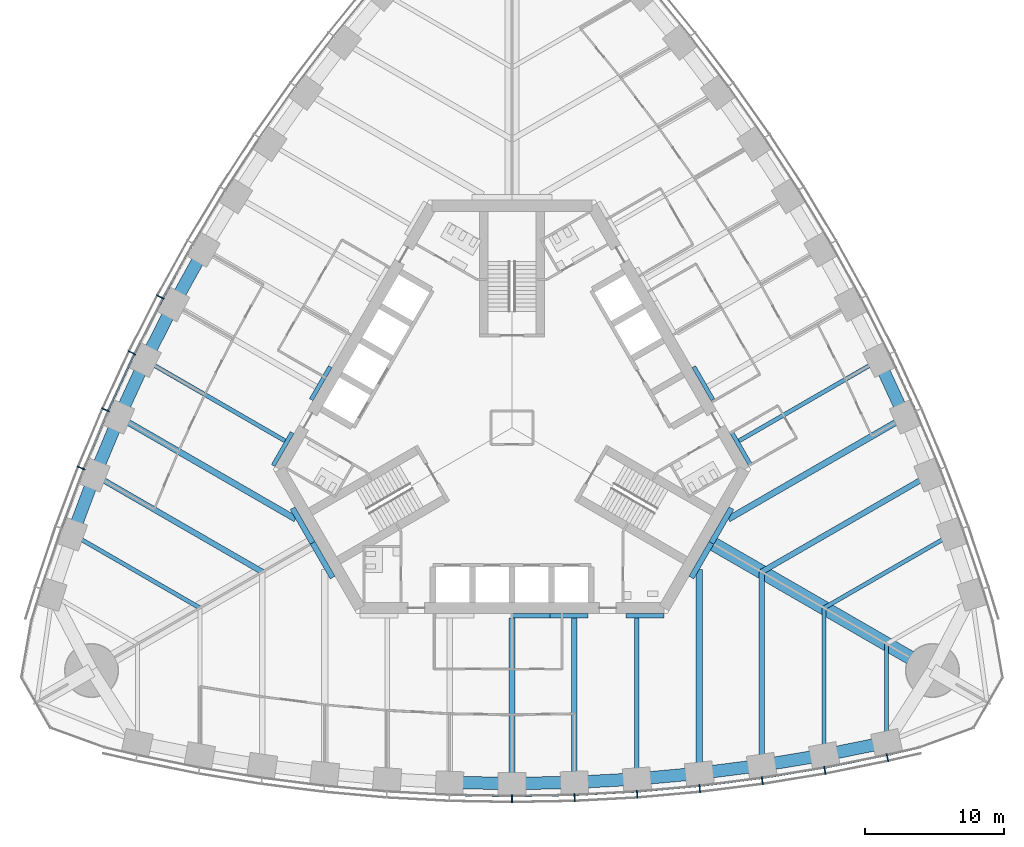
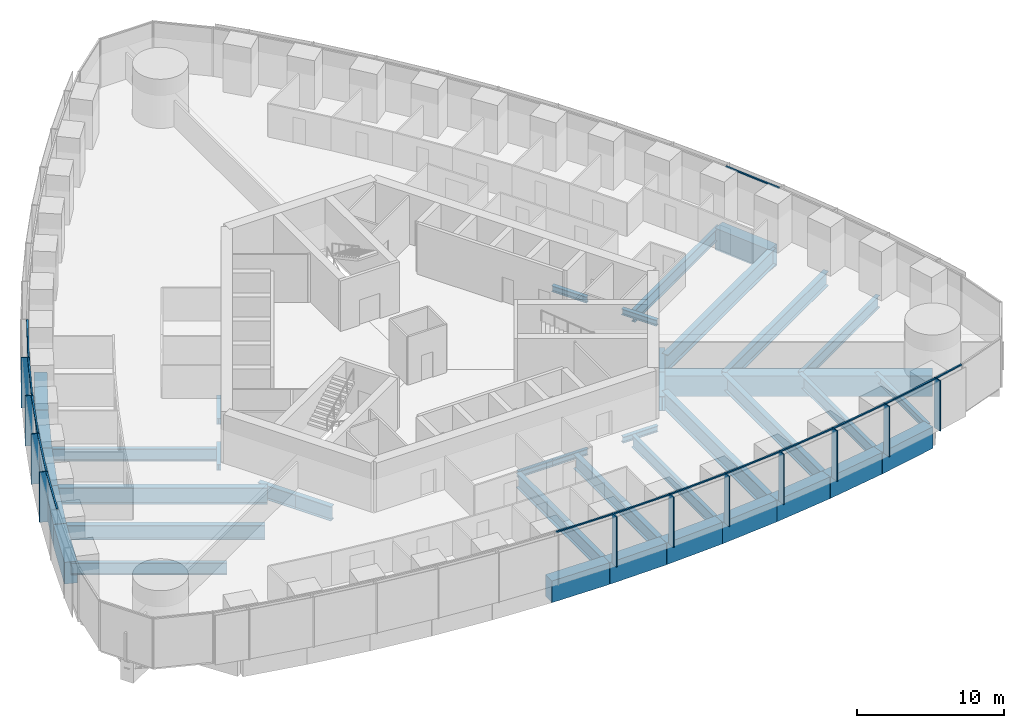
# One storey, part 3 of 18: 40 beams, 25 members, 3 elements without a shape of their own.
"""IFC4 building model written with IfcOpenShell, lengths in metres."""

import ifcopenshell
import ifcopenshell.guid

model = None  # the IFC model being written
_history = None  # IfcOwnerHistory: only IFC2X3 demands one
_inside = {}  # id of a spatial element -> (the spatial element, [elements in it])
_under = {}  # id of a project, library or spatial element -> (it, [spatial elements below it])
_declared = {}  # id of a project -> (the project, [libraries it declares])
_typed = {}  # id of a type object -> (the type object, [elements of that type])
_made_of = {}  # id of a material, layer set ... -> (it, [elements and type objects made of it])


def new_model(schema):
    """Start an empty IFC model of exactly this schema.

    Asked for "IFC4X3", IfcOpenShell would pick the latest addendum, in which some entities
    have other attributes; the version numbers below select the first issue.
    IFC2X3 requires an IfcOwnerHistory on every rooted entity: one is made here for all.
    """
    global model, _history
    if schema == "IFC4X3":
        model = ifcopenshell.file(schema_version=(4, 3, 0, 0))
    else:
        model = ifcopenshell.file(schema=schema)
    _inside.clear()
    _under.clear()
    _declared.clear()
    _typed.clear()
    _made_of.clear()
    _history = None
    if model.schema == "IFC2X3":
        org = make("IfcOrganization", Name="unknown")
        user = make(
            "IfcPersonAndOrganization",
            ThePerson=make("IfcPerson", FamilyName="unknown"),
            TheOrganization=org,
        )
        app = make(
            "IfcApplication",
            ApplicationDeveloper=org,
            Version="unknown",
            ApplicationFullName="unknown",
            ApplicationIdentifier="unknown",
        )
        _history = make(
            "IfcOwnerHistory",
            OwningUser=user,
            OwningApplication=app,
            ChangeAction="ADDED",
            CreationDate=0,
        )
    return model


def make(cls, **values):
    """One entity of the class cls with the attributes given. An attribute that is None is left unset."""
    return model.create_entity(
        cls, **{name: value for name, value in values.items() if value is not None}
    )


def rooted(cls, **values):
    """An entity with a GlobalId (a new one), such as an element, a storey or a relation."""
    return make(cls, GlobalId=ifcopenshell.guid.new(), OwnerHistory=_history, **values)


def si_unit(unit_type, name, prefix=None):
    """IfcSIUnit, for example si_unit("LENGTHUNIT", "METRE", prefix="MILLI")."""
    return make("IfcSIUnit", UnitType=unit_type, Prefix=prefix, Name=name)


def assignment(units):
    """IfcUnitAssignment: the units of a project."""
    return None if units is None else make("IfcUnitAssignment", Units=units)


def point(xyz):
    """IfcCartesianPoint."""
    return None if xyz is None else make("IfcCartesianPoint", Coordinates=xyz)


def direction(xyz):
    """IfcDirection."""
    return None if xyz is None else make("IfcDirection", DirectionRatios=xyz)


def frame(location, z_axis=None, x_axis=None):
    """IfcAxis2Placement3D, a coordinate frame: its origin and axes. An axis left out is left unset."""
    return make(
        "IfcAxis2Placement3D",
        Location=point(location),
        Axis=direction(z_axis),
        RefDirection=direction(x_axis),
    )


def frame_2d(location, x_axis=None):
    """IfcAxis2Placement2D, a coordinate frame in the plane: its origin and x axis."""
    return make(
        "IfcAxis2Placement2D", Location=point(location), RefDirection=direction(x_axis)
    )


def origin():
    """The frame at (0, 0, 0) with its axes left unset."""
    return frame((0.0, 0.0, 0.0))


def origin_2d():
    """The frame at (0, 0) in the plane with its x axis left unset."""
    return frame_2d((0.0, 0.0))


def place(relative_to, where):
    """IfcLocalPlacement: puts the frame where relative to a parent placement (None: the world)."""
    return make(
        "IfcLocalPlacement", PlacementRelTo=relative_to, RelativePlacement=where
    )


def context(
    kind, dimensions, precision=None, world=None, true_north=None, identifier=None
):
    """IfcGeometricRepresentationContext, for example the 3D "Model" context."""
    return make(
        "IfcGeometricRepresentationContext",
        ContextIdentifier=identifier,
        ContextType=kind,
        CoordinateSpaceDimension=dimensions,
        Precision=precision,
        WorldCoordinateSystem=world,
        TrueNorth=true_north,
    )


def subcontext(parent, identifier, kind, view, scale=None):
    """IfcGeometricRepresentationSubContext, for example "Body" below "Model"."""
    return make(
        "IfcGeometricRepresentationSubContext",
        ContextIdentifier=identifier,
        ContextType=kind,
        ParentContext=parent,
        TargetScale=scale,
        TargetView=view,
    )


def project(units=None, contexts=None):
    """IfcProject with its units and contexts."""
    return rooted(
        "IfcProject",
        Name="project",
        RepresentationContexts=contexts,
        UnitsInContext=assignment(units),
    )


def spatial(cls, under=None, at=None, **own):
    """A site, building, storey or space (cls), placed at a placement, below another one or the project."""
    s = rooted(cls, ObjectPlacement=at, **own)
    if under is not None:
        _under.setdefault(under.id(), (under, []))[1].append(s)
    return s


def profile(cls, at=None, kind="AREA", **sizes):
    """A parametric profile (cls). Its sizes go by their IFC names, for example OverallWidth=200.0."""
    return make(cls, ProfileType=kind, Position=at, **sizes)


def rectangle(**sizes):
    """IfcRectangleProfileDef."""
    return profile("IfcRectangleProfileDef", **sizes)


def i_section(**sizes):
    """IfcIShapeProfileDef."""
    return profile("IfcIShapeProfileDef", **sizes)


def extrude(swept, where, along, depth):
    """IfcExtrudedAreaSolid: the profile swept, set in the frame where, extruded along a direction by depth."""
    return make(
        "IfcExtrudedAreaSolid",
        SweptArea=swept,
        Position=where,
        ExtrudedDirection=direction(along),
        Depth=depth,
    )


def shape(context_of_items, identifier, shape_type, items):
    """IfcShapeRepresentation: the items that make up one representation, for example the "Body"."""
    return make(
        "IfcShapeRepresentation",
        ContextOfItems=context_of_items,
        RepresentationIdentifier=identifier,
        RepresentationType=shape_type,
        Items=items,
    )


def material(Name=None, Category=None):
    """IfcMaterial."""
    return make("IfcMaterial", Name=Name, Category=Category)


def material_profile(
    of_material, cross_section, Name=None, Category=None, Priority=None
):
    """IfcMaterialProfile: a cross section and its material."""
    return make(
        "IfcMaterialProfile",
        Name=Name,
        Material=of_material,
        Profile=cross_section,
        Priority=Priority,
        Category=Category,
    )


def profile_set(profiles, Name=None, composite=None):
    """IfcMaterialProfileSet."""
    return make(
        "IfcMaterialProfileSet",
        Name=Name,
        MaterialProfiles=profiles,
        CompositeProfile=composite,
    )


def made_of(thing, what):
    """Note that an element or type object is made of a material, layer set ...; save() writes the relation."""
    if what is not None:
        _made_of.setdefault(what.id(), (what, []))[1].append(thing)
    return thing


def type_object(cls, material=None, **own):
    """A type object (cls), such as IfcWallType, which elements share."""
    return made_of(rooted(cls, **own), material)


def element(
    cls,
    number,
    at=None,
    inside=None,
    cuts=None,
    type_object=None,
    material=None,
    context=None,
    identifier="Body",
    shape_type=None,
    held_by="IfcProductDefinitionShape",
    body=None,
    shapes=None,
    **own,
):
    """One element of the class cls, such as IfcWall. Its Tag is "e" and its number.

    at: its placement. inside: the storey or other place that contains it. cuts: it is an
    opening in that element (IfcRelVoidsElement). A single representation is given by context,
    identifier, shape_type and body (its items); several are given by shapes. held_by: the class
    of the entity that holds the representations. save() writes the other relations.
    """
    e = rooted(cls, Tag="e%d" % number, ObjectPlacement=at, **own)
    if body is not None:
        shapes = [shape(context, identifier, shape_type, body)]
    if shapes is not None:
        e.Representation = make(held_by, Representations=shapes)
    if inside is not None:
        _inside.setdefault(inside.id(), (inside, []))[1].append(e)
    if cuts is not None:
        rooted(
            "IfcRelVoidsElement", RelatingBuildingElement=cuts, RelatedOpeningElement=e
        )
    if type_object is not None:
        _typed.setdefault(type_object.id(), (type_object, []))[1].append(e)
    return made_of(e, material)


def aggregate(whole, parts):
    """IfcRelAggregates: a whole, such as a stair, and the parts it consists of."""
    return rooted("IfcRelAggregates", RelatingObject=whole, RelatedObjects=parts)


def save(model, path):
    """Write the relations noted so far, then the file.

    IfcRelAggregates (storeys below a building ...), IfcRelContainedInSpatialStructure (elements
    in a storey), IfcRelDefinesByType, IfcRelAssociatesMaterial and IfcRelDeclares: one each for
    every whole, place, type object, material and project.
    """
    for whole, parts in _under.values():
        aggregate(whole, parts)
    for where, things in _inside.values():
        rooted(
            "IfcRelContainedInSpatialStructure",
            RelatedElements=things,
            RelatingStructure=where,
        )
    for kind, things in _typed.values():
        rooted("IfcRelDefinesByType", RelatedObjects=things, RelatingType=kind)
    for what, things in _made_of.values():
        rooted("IfcRelAssociatesMaterial", RelatedObjects=things, RelatingMaterial=what)
    for by, libraries in _declared.values():
        rooted("IfcRelDeclares", RelatingContext=by, RelatedDefinitions=libraries)
    model.write(path)


model = new_model("IFC4")

# Units and contexts
model_context = context("Model", 3, precision=1e-05, world=origin(), true_north=direction((0.0, 1.0)))
body_context = subcontext(model_context, "Body", "Model", "MODEL_VIEW")
ifc_project = project(units=[si_unit("LENGTHUNIT", "METRE"), si_unit("AREAUNIT", "SQUARE_METRE"), si_unit("VOLUMEUNIT", "CUBIC_METRE"), si_unit("PLANEANGLEUNIT", "RADIAN"), si_unit("MASSUNIT", "GRAM", prefix="KILO")], contexts=[model_context])

# Site, building, storey
site_placement = place(None, origin())
site = spatial("IfcSite", under=ifc_project, at=site_placement, CompositionType="ELEMENT")
building_placement = place(site_placement, origin())
building = spatial("IfcBuilding", under=site, at=building_placement, Name="Trefoil Bronze Tower", CompositionType="ELEMENT")
storey_placement = place(building_placement, frame((0.0, 0.0, 157.699951171875)))
storey = spatial("IfcBuildingStorey", under=building, at=storey_placement, Name="L36", CompositionType="ELEMENT", Elevation=157.699951171875)

# Curtain wall, members
ifc_material_1 = material(Name="Tinted solar-control glass", Category="glass")
curtain_wall_type = type_object("IfcCurtainWallType", Name="Bronze office curtain wall", PredefinedType="USERDEFINED", material=ifc_material_1)
curtain_wall_1_placement = place(storey_placement, origin())
curtain_wall_1 = element("IfcCurtainWall", 1, at=curtain_wall_1_placement, inside=storey, type_object=curtain_wall_type, Name="CW-A L36 F1", ObjectType="CURTAIN WALL", PredefinedType="USERDEFINED")
ifc_material_2 = material(Name="Bronze-finish aluminium", Category="aluminium")
ifc_material_profile_1 = material_profile(ifc_material_2, rectangle(XDim=0.60009765625, YDim=0.080078125, at=origin_2d()), Name="CW-A mullion")
ifc_profile_set_1 = profile_set([ifc_material_profile_1], Name="Bronze-finish aluminium")
member_type_1 = type_object("IfcMemberType", Name="Bronze office curtain wall mullion", PredefinedType="MULLION", material=ifc_profile_set_1)
member_1_placement = place(storey_placement, frame((0.0, -26.749755859375, 0.0), z_axis=(0.0, 0.0, 1.0), x_axis=(0.0, 1.0, 0.0)))
member_1 = element("IfcMember", 2, at=member_1_placement, type_object=member_type_1, Name="CW-A L36 F1 mullion 8", PredefinedType="MULLION", context=body_context, shape_type="SweptSolid", body=[
    extrude(rectangle(XDim=0.60009765625, YDim=0.080078125, at=origin_2d()), origin(), (0.0, 0.0, 1.0), 4.179931640625),
])
member_2_placement = place(storey_placement, frame((4.5107421875, -26.66845703125, 0.0), z_axis=(0.0, 0.0, 1.0), x_axis=(-0.036047792107, 0.999350067136, 0.0)))
member_2 = element("IfcMember", 3, at=member_2_placement, type_object=member_type_1, Name="CW-A L36 F1 mullion 9", PredefinedType="MULLION", context=body_context, shape_type="SweptSolid", body=[
    extrude(rectangle(XDim=0.60009765625, YDim=0.080078125, at=origin_2d()), origin(), (0.0, 0.0, 1.0), 4.179931640625),
])
member_3_placement = place(storey_placement, frame((9.021728515625, -26.424072265625, 0.0), z_axis=(0.0, 0.0, 1.0), x_axis=(-0.072095676284, 0.997397720802, 0.0)))
member_3 = element("IfcMember", 4, at=member_3_placement, type_object=member_type_1, Name="CW-A L36 F1 mullion 10", PredefinedType="MULLION", context=body_context, shape_type="SweptSolid", body=[
    extrude(rectangle(XDim=0.60009765625, YDim=0.080078125, at=origin_2d()), origin(), (0.0, 0.0, 1.0), 4.179931640625),
])
member_4_placement = place(storey_placement, frame((13.532470703125, -26.01611328125, 0.0), z_axis=(0.0, 0.0, 1.0), x_axis=(-0.108143747013, 0.994135267447, 0.0)))
member_4 = element("IfcMember", 5, at=member_4_placement, type_object=member_type_1, Name="CW-A L36 F1 mullion 11", PredefinedType="MULLION", context=body_context, shape_type="SweptSolid", body=[
    extrude(rectangle(XDim=0.60009765625, YDim=0.080078125, at=origin_2d()), origin(), (0.0, 0.0, 1.0), 4.179931640625),
])
member_5_placement = place(storey_placement, frame((18.043212890625, -25.4423828125, 0.0), z_axis=(0.0, 0.0, 1.0), x_axis=(-0.144192103798, 0.989549714366, 0.0)))
member_5 = element("IfcMember", 6, at=member_5_placement, type_object=member_type_1, Name="CW-A L36 F1 mullion 12", PredefinedType="MULLION", context=body_context, shape_type="SweptSolid", body=[
    extrude(rectangle(XDim=0.60009765625, YDim=0.080078125, at=origin_2d()), origin(), (0.0, 0.0, 1.0), 4.179931640625),
])
member_6_placement = place(storey_placement, frame((22.553955078125, -24.700927734375, 0.0), z_axis=(0.0, 0.0, 1.0), x_axis=(-0.180240853954, 0.98362250613, 0.0)))
member_6 = element("IfcMember", 7, at=member_6_placement, type_object=member_type_1, Name="CW-A L36 F1 mullion 13", PredefinedType="MULLION", context=body_context, shape_type="SweptSolid", body=[
    extrude(rectangle(XDim=0.60009765625, YDim=0.080078125, at=origin_2d()), origin(), (0.0, 0.0, 1.0), 4.179931640625),
])
member_7_placement = place(storey_placement, frame((27.0634765625, -23.7890625, 0.0), z_axis=(0.0, 0.0, 1.0), x_axis=(-0.21197042503, 0.977276081214, 0.0)))
member_7 = element("IfcMember", 8, at=member_7_placement, type_object=member_type_1, Name="CW-A L36 F1 mullion 14", PredefinedType="MULLION", context=body_context, shape_type="SweptSolid", body=[
    extrude(rectangle(XDim=0.60009765625, YDim=0.080078125, at=origin_2d()), origin(), (0.0, 0.0, 1.0), 4.179931640625),
])

curtain_wall_2_placement = place(storey_placement, origin())
curtain_wall_2 = element("IfcCurtainWall", 9, at=curtain_wall_2_placement, inside=storey, type_object=curtain_wall_type, Name="CW-A L36 F3", ObjectType="CURTAIN WALL", PredefinedType="USERDEFINED")
member_8_placement = place(storey_placement, frame((-25.350830078125, 9.427734375, 0.0), z_axis=(0.0, 0.0, 1.0), x_axis=(0.883486441467, -0.468456729853, 0.0)))
member_8 = element("IfcMember", 10, at=member_8_placement, type_object=member_type_1, Name="CW-A L36 F3 mullion 9", PredefinedType="MULLION", context=body_context, shape_type="SweptSolid", body=[
    extrude(rectangle(XDim=0.60009765625, YDim=0.080078125, at=origin_2d()), origin(), (0.0, 0.0, 1.0), 4.179931640625),
])
member_9_placement = place(storey_placement, frame((-27.394775390625, 5.399169921875, 0.0), z_axis=(0.0, 0.0, 1.0), x_axis=(0.899819602033, -0.436262173236, 0.0)))
member_9 = element("IfcMember", 11, at=member_9_placement, type_object=member_type_1, Name="CW-A L36 F3 mullion 10", PredefinedType="MULLION", context=body_context, shape_type="SweptSolid", body=[
    extrude(rectangle(XDim=0.60009765625, YDim=0.080078125, at=origin_2d()), origin(), (0.0, 0.0, 1.0), 4.179931640625),
])
member_10_placement = place(storey_placement, frame((-29.296875, 1.28857421875, 0.0), z_axis=(0.0, 0.0, 1.0), x_axis=(0.915018269914, -0.40341240155, 0.0)))
member_10 = element("IfcMember", 12, at=member_10_placement, type_object=member_type_1, Name="CW-A L36 F3 mullion 11", PredefinedType="MULLION", context=body_context, shape_type="SweptSolid", body=[
    extrude(rectangle(XDim=0.60009765625, YDim=0.080078125, at=origin_2d()), origin(), (0.0, 0.0, 1.0), 4.179931640625),
])
member_11_placement = place(storey_placement, frame((-31.055419921875, -2.90478515625, 0.0), z_axis=(0.0, 0.0, 1.0), x_axis=(0.929071242848, -0.369900832269, 0.0)))
member_11 = element("IfcMember", 13, at=member_11_placement, type_object=member_type_1, Name="CW-A L36 F3 mullion 12", PredefinedType="MULLION", context=body_context, shape_type="SweptSolid", body=[
    extrude(rectangle(XDim=0.60009765625, YDim=0.080078125, at=origin_2d()), origin(), (0.0, 0.0, 1.0), 4.179931640625),
])

# Member
ifc_material_3 = material(Name="Bronze-finish aluminium", Category="aluminium")
ifc_material_profile_2 = material_profile(ifc_material_3, rectangle(XDim=0.1201171875, YDim=0.10009765625, at=origin_2d()), Name="CW-A transom")
ifc_profile_set_2 = profile_set([ifc_material_profile_2], Name="Bronze-finish aluminium")
member_type_2 = type_object("IfcMemberType", Name="Bronze office curtain wall transom", PredefinedType="USERDEFINED", material=ifc_profile_set_2)
member_12_placement = place(storey_placement, frame((-4.4619140625, -26.46923828125, 4.130126953125), z_axis=(0.999837930028, -0.018003157426, 0.0), x_axis=(0.018003157426, 0.999837930028, 0.0)))
member_12 = element("IfcMember", 14, at=member_12_placement, type_object=member_type_2, Name="CW-A L36 F1 transom 7", ObjectType="TRANSOM", PredefinedType="USERDEFINED", context=body_context, shape_type="SweptSolid", body=[
    extrude(rectangle(XDim=0.1201171875, YDim=0.10009765625, at=origin_2d()), origin(), (0.0, 0.0, 1.0), 4.4208984375),
])

member_13_placement = place(storey_placement, frame((0.041748046875, -26.548828125, 4.130126953125), z_axis=(0.999837930028, 0.018003157426, 0.0), x_axis=(-0.018003157426, 0.999837930028, 0.0)))
member_13 = element("IfcMember", 15, at=member_13_placement, type_object=member_type_2, Name="CW-A L36 F1 transom 8", ObjectType="TRANSOM", PredefinedType="USERDEFINED", context=body_context, shape_type="SweptSolid", body=[
    extrude(rectangle(XDim=0.1201171875, YDim=0.10009765625, at=origin_2d()), origin(), (0.0, 0.0, 1.0), 4.4208984375),
])

member_14_placement = place(storey_placement, frame((4.54541015625, -26.46630859375, 4.130126953125), z_axis=(0.998538253569, 0.054049571306, 0.0), x_axis=(-0.054049571306, 0.998538253569, 0.0)))
member_14 = element("IfcMember", 16, at=member_14_placement, type_object=member_type_2, Name="CW-A L36 F1 transom 9", ObjectType="TRANSOM", PredefinedType="USERDEFINED", context=body_context, shape_type="SweptSolid", body=[
    extrude(rectangle(XDim=0.1201171875, YDim=0.10009765625, at=origin_2d()), origin(), (0.0, 0.0, 1.0), 4.4267578125),
])

member_15_placement = place(storey_placement, frame((9.048828125, -26.220947265625, 4.130126953125), z_axis=(0.995932787062, 0.090099298863, 0.0), x_axis=(-0.090099298863, 0.995932787062, 0.0)))
member_15 = element("IfcMember", 17, at=member_15_placement, type_object=member_type_2, Name="CW-A L36 F1 transom 10", ObjectType="TRANSOM", PredefinedType="USERDEFINED", context=body_context, shape_type="SweptSolid", body=[
    extrude(rectangle(XDim=0.1201171875, YDim=0.10009765625, at=origin_2d()), origin(), (0.0, 0.0, 1.0), 4.4384765625),
])

member_16_placement = place(storey_placement, frame((13.55224609375, -25.81201171875, 4.130126953125), z_axis=(0.992008387848, 0.12617193998, 0.0), x_axis=(-0.12617193998, 0.992008387848, 0.0)))
member_16 = element("IfcMember", 18, at=member_16_placement, type_object=member_type_2, Name="CW-A L36 F1 transom 11", ObjectType="TRANSOM", PredefinedType="USERDEFINED", context=body_context, shape_type="SweptSolid", body=[
    extrude(rectangle(XDim=0.1201171875, YDim=0.10009765625, at=origin_2d()), origin(), (0.0, 0.0, 1.0), 4.456298828125),
])

member_17_placement = place(storey_placement, frame((18.0556640625, -25.23779296875, 4.130126953125), z_axis=(0.986755265284, 0.162216048636, 0.0), x_axis=(-0.162216048636, 0.986755265284, 0.0)))
member_17 = element("IfcMember", 19, at=member_17_placement, type_object=member_type_2, Name="CW-A L36 F1 transom 12", ObjectType="TRANSOM", PredefinedType="USERDEFINED", context=body_context, shape_type="SweptSolid", body=[
    extrude(rectangle(XDim=0.1201171875, YDim=0.10009765625, at=origin_2d()), origin(), (0.0, 0.0, 1.0), 4.48046875),
])

member_18_placement = place(storey_placement, frame((22.55908203125, -24.49609375, 4.130126953125), z_axis=(0.980153749225, 0.198238815273, 0.0), x_axis=(-0.198238815273, 0.980153749225, 0.0)))
member_18 = element("IfcMember", 20, at=member_18_placement, type_object=member_type_2, Name="CW-A L36 F1 transom 13", ObjectType="TRANSOM", PredefinedType="USERDEFINED", context=body_context, shape_type="SweptSolid", body=[
    extrude(rectangle(XDim=0.1201171875, YDim=0.10009765625, at=origin_2d()), origin(), (0.0, 0.0, 1.0), 4.51123046875),
])

member_19_placement = place(storey_placement, frame((27.0615234375, -23.584228515625, 4.130126953125), z_axis=(0.974206243495, 0.225659467196, 0.0), x_axis=(-0.225659467196, 0.974206243495, 0.0)))
member_19 = element("IfcMember", 21, at=member_19_placement, type_object=member_type_2, Name="CW-A L36 F1 transom 14", ObjectType="TRANSOM", PredefinedType="USERDEFINED", context=body_context, shape_type="SweptSolid", body=[
    extrude(rectangle(XDim=0.1201171875, YDim=0.10009765625, at=origin_2d()), origin(), (0.0, 0.0, 1.0), 2.340087890625),
])

aggregate(curtain_wall_1, [member_1, member_2, member_3, member_4, member_5, member_6, member_7, member_12, member_13, member_14, member_15, member_16, member_17, member_18, member_19])

# Curtain wall, member
curtain_wall_3_placement = place(storey_placement, origin())
curtain_wall_3 = element("IfcCurtainWall", 22, at=curtain_wall_3_placement, inside=storey, type_object=curtain_wall_type, Name="CW-A L36 F2", ObjectType="CURTAIN WALL", PredefinedType="USERDEFINED")
member_20_placement = place(storey_placement, frame((29.09619140625, 1.245849609375, 4.130126953125), z_axis=(-0.419923072198, 0.907559702409, 0.0), x_axis=(-0.907559702409, -0.419923072198, 0.0)))
member_20 = element("IfcMember", 23, at=member_20_placement, type_object=member_type_2, Name="CW-A L36 F2 transom 5", ObjectType="TRANSOM", PredefinedType="USERDEFINED", context=body_context, shape_type="SweptSolid", body=[
    extrude(rectangle(XDim=0.1201171875, YDim=0.10009765625, at=origin_2d()), origin(), (0.0, 0.0, 1.0), 4.4384765625),
])
aggregate(curtain_wall_3, [member_20])

# Member
member_21_placement = place(storey_placement, frame((-23.012939453125, 13.23828125, 4.130126953125), z_axis=(-0.484329470343, -0.874885686337, 0.0), x_axis=(0.874885686337, -0.484329470343, 0.0)))
member_21 = element("IfcMember", 24, at=member_21_placement, type_object=member_type_2, Name="CW-A L36 F3 transom 8", ObjectType="TRANSOM", PredefinedType="USERDEFINED", context=body_context, shape_type="SweptSolid", body=[
    extrude(rectangle(XDim=0.1201171875, YDim=0.10009765625, at=origin_2d()), origin(), (0.0, 0.0, 1.0), 4.4208984375),
])

member_22_placement = place(storey_placement, frame((-25.193115234375, 9.296630859375, 4.130126953125), z_axis=(-0.452478489814, -0.891775317138, 0.0), x_axis=(0.891775317138, -0.452478489814, 0.0)))
member_22 = element("IfcMember", 25, at=member_22_placement, type_object=member_type_2, Name="CW-A L36 F3 transom 9", ObjectType="TRANSOM", PredefinedType="USERDEFINED", context=body_context, shape_type="SweptSolid", body=[
    extrude(rectangle(XDim=0.1201171875, YDim=0.10009765625, at=origin_2d()), origin(), (0.0, 0.0, 1.0), 4.426513671875),
])

member_23_placement = place(storey_placement, frame((-27.232421875, 5.27392578125, 4.130126953125), z_axis=(-0.419923072198, -0.907559702409, 0.0), x_axis=(0.907559702409, -0.419923072198, 0.0)))
member_23 = element("IfcMember", 26, at=member_23_placement, type_object=member_type_2, Name="CW-A L36 F3 transom 10", ObjectType="TRANSOM", PredefinedType="USERDEFINED", context=body_context, shape_type="SweptSolid", body=[
    extrude(rectangle(XDim=0.1201171875, YDim=0.10009765625, at=origin_2d()), origin(), (0.0, 0.0, 1.0), 4.4384765625),
])

member_24_placement = place(storey_placement, frame((-29.1298828125, 1.16943359375, 4.130126953125), z_axis=(-0.386773266184, -0.922174842731, 0.0), x_axis=(0.922174842731, -0.386773266184, 0.0)))
member_24 = element("IfcMember", 27, at=member_24_placement, type_object=member_type_2, Name="CW-A L36 F3 transom 11", ObjectType="TRANSOM", PredefinedType="USERDEFINED", context=body_context, shape_type="SweptSolid", body=[
    extrude(rectangle(XDim=0.1201171875, YDim=0.10009765625, at=origin_2d()), origin(), (0.0, 0.0, 1.0), 4.45654296875),
])

member_25_placement = place(storey_placement, frame((-30.88427734375, -3.017822265625, 4.130126953125), z_axis=(-0.352932154759, -0.935648916067, 0.0), x_axis=(0.935648916067, -0.352932154759, 0.0)))
member_25 = element("IfcMember", 28, at=member_25_placement, type_object=member_type_2, Name="CW-A L36 F3 transom 12", ObjectType="TRANSOM", PredefinedType="USERDEFINED", context=body_context, shape_type="SweptSolid", body=[
    extrude(rectangle(XDim=0.1201171875, YDim=0.10009765625, at=origin_2d()), origin(), (0.0, 0.0, 1.0), 4.48046875),
])

aggregate(curtain_wall_2, [member_8, member_9, member_10, member_11, member_21, member_22, member_23, member_24, member_25])

# Beams
ifc_material_4 = material(Name="Steel C355", Category="steel")
ifc_material_profile_3 = material_profile(ifc_material_4, i_section(OverallWidth=0.300048828125, OverallDepth=0.5, WebThickness=0.014404296875, FlangeThickness=0.028076171875, FilletRadius=0.027099609375, at=origin_2d()), Name="HEB 500")
ifc_profile_set_3 = profile_set([ifc_material_profile_3], Name="Steel C355")
beam_type_1 = type_object("IfcBeamType", Name="Core seat beam HEB 500", PredefinedType="BEAM", material=ifc_profile_set_3)
for number, where, z_axis, x_axis, name in (
    (29, (0.0, -13.550048828125, -0.449951171875), (1.0, 0.0, 0.0), (0.0, 1.0, 0.0), "Core seat beam F1/+0 L36"),
    (30, (2.742431640625, -13.550048828125, -0.449951171875), (1.0, 0.0, 0.0), (0.0, 1.0, 0.0), "Core seat beam F1/+1 L36"),
    (31, (8.227294921875, -13.550048828125, -0.449951171875), (1.0, 0.0, 0.0), (0.0, 1.0, 0.0), "Core seat beam F1/+2 L36"),
    (32, (17.219482421875, -2.72509765625, -0.449951171875), (-0.500035825175, 0.866004719122, 0.0), (-0.866004719122, -0.500035825175, 0.0), "Core seat beam F2/-2 L36"),
    (33, (14.47705078125, 2.02490234375, -0.449951171875), (-0.499969057507, 0.866043267704, 0.0), (-0.866043267704, -0.499969057507, 0.0), "Core seat beam F2/-1 L36"),
    (34, (-13.10595703125, 4.39990234375, -0.449951171875), (-0.499969057507, -0.866043267704, 0.0), (0.866043267704, -0.499969057507, 0.0), "Core seat beam F3/+1 L36"),
    (35, (-15.84814453125, -0.35009765625, -0.449951171875), (-0.500035825175, -0.866004719122, 0.0), (0.866004719122, -0.500035825175, 0.0), "Core seat beam F3/+2 L36"),
):
    element("IfcBeam", number, at=place(storey_placement, frame(where, z_axis=z_axis, x_axis=x_axis)), inside=storey, type_object=beam_type_1, Name=name, PredefinedType="BEAM", context=body_context, shape_type="SweptSolid", body=[
        extrude(i_section(OverallWidth=0.300048828125, OverallDepth=0.5, WebThickness=0.014404296875, FlangeThickness=0.028076171875, FilletRadius=0.027099609375, at=origin_2d()), origin(), (0.0, 0.0, 1.0), 2.742431640625),
    ])
ifc_material_5 = material(Name="Steel C355", Category="steel")
ifc_material_profile_4 = material_profile(ifc_material_5, i_section(OverallWidth=0.39990234375, OverallDepth=1.199951171875, WebThickness=0.02001953125, FlangeThickness=0.0400390625, FilletRadius=0.010009765625, at=origin_2d()), Name="WPG 1200")
ifc_profile_set_4 = profile_set([ifc_material_profile_4], Name="Steel C355")
beam_type_2 = type_object("IfcBeamType", Name="Core seat beam WPG 1200", PredefinedType="BEAM", material=ifc_profile_set_4)
for number, where, z_axis, x_axis, name in (
    (36, (-14.3759765625, -8.300048828125, -0.800048828125), (0.499995765644, -0.866027848477, 0.0), (0.866027848477, 0.499995765644, 0.0), "Core seat beam F1/-3 L36"),
    (37, (12.9326171875, -10.800048828125, -0.800048828125), (0.499995765644, 0.866027848477, 0.0), (-0.866027848477, 0.499995765644, 0.0), "Core seat beam F1/+3 L36"),
    (38, (14.3759765625, -8.300048828125, -0.800048828125), (0.499995765644, 0.866027848477, 0.0), (-0.866027848477, 0.499995765644, 0.0), "Core seat beam F2/-3 L36"),
    (39, (-15.8193359375, -5.800048828125, -0.800048828125), (0.499995765644, -0.866027848477, 0.0), (0.866027848477, 0.499995765644, 0.0), "Core seat beam F3/+3 L36"),
):
    element("IfcBeam", number, at=place(storey_placement, frame(where, z_axis=z_axis, x_axis=x_axis)), inside=storey, type_object=beam_type_2, Name=name, PredefinedType="BEAM", context=body_context, shape_type="SweptSolid", body=[
        extrude(i_section(OverallWidth=0.39990234375, OverallDepth=1.199951171875, WebThickness=0.02001953125, FlangeThickness=0.0400390625, FilletRadius=0.010009765625, at=origin_2d()), origin(), (0.0, 0.0, 1.0), 2.88671875),
    ])
ifc_material_6 = material(Name="Concrete B80", Category="concrete")
ifc_material_profile_5 = material_profile(ifc_material_6, rectangle(XDim=1.0, YDim=1.699951171875, at=origin_2d()), Name="RC 1000x1700")
ifc_profile_set_5 = profile_set([ifc_material_profile_5], Name="Concrete B80")
beam_type_3 = type_object("IfcBeamType", Name="Corner girder RC 1000x1700", PredefinedType="BEAM", material=ifc_profile_set_5)
beam_1_placement = place(storey_placement, frame((14.202880859375, -8.199951171875, -1.050048828125), z_axis=(0.866022084834, -0.500005748546, 0.0), x_axis=(0.500005748546, 0.866022084834, 0.0)))
element("IfcBeam", 40, at=beam_1_placement, inside=storey, type_object=beam_type_3, Name="Corner girder K1 L36", PredefinedType="BEAM", context=body_context, shape_type="SweptSolid", body=[
    extrude(rectangle(XDim=1.0, YDim=1.699951171875, at=origin_2d()), origin(), (0.0, 0.0, 1.0), 18.599853515625),
])
ifc_material_7 = material(Name="Steel C355", Category="steel")
ifc_material_profile_6 = material_profile(ifc_material_7, i_section(OverallWidth=0.300048828125, OverallDepth=1.0, WebThickness=0.01904296875, FlangeThickness=0.035888671875, FilletRadius=0.030029296875, at=origin_2d()), Name="HEB 1000")
ifc_profile_set_6 = profile_set([ifc_material_profile_6], Name="Steel C355")
beam_type_4 = type_object("IfcBeamType", Name="Floor beam HEB 1000", PredefinedType="BEAM", material=ifc_profile_set_6)
beam_2_placement = place(storey_placement, frame((22.5, -23.592529296875, -0.699951171875), z_axis=(0.0, 1.0, 0.0), x_axis=(-1.0, 0.0, 0.0)))
element("IfcBeam", 41, at=beam_2_placement, inside=storey, type_object=beam_type_4, Name="Floor beam F1/+5 L36", PredefinedType="BEAM", context=body_context, shape_type="SweptSolid", body=[
    extrude(i_section(OverallWidth=0.300048828125, OverallDepth=1.0, WebThickness=0.01904296875, FlangeThickness=0.035888671875, FilletRadius=0.030029296875, at=origin_2d()), origin(), (0.0, 0.0, 1.0), 10.60205078125),
])
for number, where, z_axis, x_axis, name in (
    (42, (31.681884765625, -7.689208984375, -0.699951171875), (-0.866021079084, -0.500007490527, 0.0), (0.500007490527, -0.866021079084, 0.0), "Floor beam F2/-5 L36"),
    (43, (-31.681884765625, -7.689208984375, -0.699951171875), (0.866021079084, -0.500007490527, 0.0), (0.500007490527, 0.866021079084, 0.0), "Floor beam F3/+5 L36"),
):
    element("IfcBeam", number, at=place(storey_placement, frame(where, z_axis=z_axis, x_axis=x_axis)), inside=storey, type_object=beam_type_4, Name=name, PredefinedType="BEAM", context=body_context, shape_type="SweptSolid", body=[
        extrude(i_section(OverallWidth=0.300048828125, OverallDepth=1.0, WebThickness=0.01904296875, FlangeThickness=0.035888671875, FilletRadius=0.030029296875, at=origin_2d()), origin(), (0.0, 0.0, 1.0), 10.602294921875),
    ])
ifc_material_8 = material(Name="Steel C355", Category="steel")
ifc_material_profile_7 = material_profile(ifc_material_8, i_section(OverallWidth=0.300048828125, OverallDepth=0.60009765625, WebThickness=0.015380859375, FlangeThickness=0.030029296875, FilletRadius=0.027099609375, at=origin_2d()), Name="HEB 600")
ifc_profile_set_7 = profile_set([ifc_material_profile_7], Name="Steel C355")
beam_type_5 = type_object("IfcBeamType", Name="Floor beam HEB 600", PredefinedType="BEAM", material=ifc_profile_set_7)
beam_3_placement = place(storey_placement, frame((27.0, -22.67724609375, -0.5), z_axis=(0.0, 1.0, 0.0), x_axis=(-1.0, 0.0, 0.0)))
element("IfcBeam", 44, at=beam_3_placement, inside=storey, type_object=beam_type_5, Name="Floor beam F1/+6 L36", PredefinedType="BEAM", context=body_context, shape_type="SweptSolid", body=[
    extrude(i_section(OverallWidth=0.300048828125, OverallDepth=0.60009765625, WebThickness=0.015380859375, FlangeThickness=0.030029296875, FilletRadius=0.027099609375, at=origin_2d()), origin(), (0.0, 0.0, 1.0), 7.0888671875),
])
ifc_material_9 = material(Name="Steel C355", Category="steel")
ifc_material_profile_8 = material_profile(ifc_material_9, i_section(OverallWidth=0.302001953125, OverallDepth=1.008056640625, WebThickness=0.02099609375, FlangeThickness=0.0400390625, FilletRadius=0.030029296875, at=origin_2d()), Name="HEM 1000")
ifc_profile_set_8 = profile_set([ifc_material_profile_8], Name="Steel C355")
beam_type_6 = type_object("IfcBeamType", Name="Floor beam HEM 1000", PredefinedType="BEAM", material=ifc_profile_set_8)
for number, where, z_axis, x_axis, name in (
    (45, (9.0, -25.32275390625, -0.703857421875), (0.0, 1.0, 0.0), (-1.0, 0.0, 0.0), "Floor beam F1/+2 L36"),
    (46, (26.43017578125, 4.8671875, -0.703857421875), (-0.866021531335, -0.500006707218, 0.0), (0.500006707218, -0.866021531335, 0.0), "Floor beam F2/-2 L36"),
    (47, (-26.43017578125, 4.8671875, -0.703857421875), (0.866021531335, -0.500006707218, 0.0), (0.500006707218, 0.866021531335, 0.0), "Floor beam F3/+2 L36"),
):
    element("IfcBeam", number, at=place(storey_placement, frame(where, z_axis=z_axis, x_axis=x_axis)), inside=storey, type_object=beam_type_6, Name=name, PredefinedType="BEAM", context=body_context, shape_type="SweptSolid", body=[
        extrude(i_section(OverallWidth=0.302001953125, OverallDepth=1.008056640625, WebThickness=0.02099609375, FlangeThickness=0.0400390625, FilletRadius=0.030029296875, at=origin_2d()), origin(), (0.0, 0.0, 1.0), 11.622802734375),
    ])
ifc_material_10 = material(Name="Steel C355", Category="steel")
ifc_material_profile_9 = material_profile(ifc_material_10, i_section(OverallWidth=0.39990234375, OverallDepth=1.199951171875, WebThickness=0.02001953125, FlangeThickness=0.0400390625, FilletRadius=0.010009765625, at=origin_2d()), Name="WPG 1200")
ifc_profile_set_9 = profile_set([ifc_material_profile_9], Name="Steel C355")
beam_type_7 = type_object("IfcBeamType", Name="Floor beam WPG 1200", PredefinedType="BEAM", material=ifc_profile_set_9)
beam_4_placement = place(storey_placement, frame((0.0, -25.649658203125, -0.800048828125), z_axis=(0.0, 1.0, 0.0), x_axis=(-1.0, 0.0, 0.0)))
element("IfcBeam", 48, at=beam_4_placement, inside=storey, type_object=beam_type_7, Name="Floor beam F1/+0 L36", PredefinedType="BEAM", context=body_context, shape_type="SweptSolid", body=[
    extrude(i_section(OverallWidth=0.39990234375, OverallDepth=1.199951171875, WebThickness=0.02001953125, FlangeThickness=0.0400390625, FilletRadius=0.010009765625, at=origin_2d()), origin(), (0.0, 0.0, 1.0), 11.94970703125),
])
beam_5_placement = place(storey_placement, frame((4.5, -25.568115234375, -0.800048828125), z_axis=(0.0, 1.0, 0.0), x_axis=(-1.0, 0.0, 0.0)))
element("IfcBeam", 49, at=beam_5_placement, inside=storey, type_object=beam_type_7, Name="Floor beam F1/+1 L36", PredefinedType="BEAM", context=body_context, shape_type="SweptSolid", body=[
    extrude(i_section(OverallWidth=0.39990234375, OverallDepth=1.199951171875, WebThickness=0.02001953125, FlangeThickness=0.0400390625, FilletRadius=0.010009765625, at=origin_2d()), origin(), (0.0, 0.0, 1.0), 11.8681640625),
])
for number, where, z_axis, x_axis, name in (
    (50, (18.0, -24.337158203125, -0.800048828125), (0.0, 1.0, 0.0), (-1.0, 0.0, 0.0), "Floor beam F1/+4 L36"),
    (51, (30.07666015625, -3.419921875, -0.800048828125), (-0.866026983775, -0.499997263366, 0.0), (0.499997263366, -0.866026983775, 0.0), "Floor beam F2/-4 L36"),
    (52, (-30.07666015625, -3.419921875, -0.800048828125), (0.866026983775, -0.499997263366, 0.0), (0.499997263366, 0.866026983775, 0.0), "Floor beam F3/+4 L36"),
):
    element("IfcBeam", number, at=place(storey_placement, frame(where, z_axis=z_axis, x_axis=x_axis)), inside=storey, type_object=beam_type_7, Name=name, PredefinedType="BEAM", context=body_context, shape_type="SweptSolid", body=[
        extrude(i_section(OverallWidth=0.39990234375, OverallDepth=1.199951171875, WebThickness=0.02001953125, FlangeThickness=0.0400390625, FilletRadius=0.010009765625, at=origin_2d()), origin(), (0.0, 0.0, 1.0), 13.94482421875),
    ])
ifc_material_11 = material(Name="Steel C355", Category="steel")
ifc_material_profile_10 = material_profile(ifc_material_11, i_section(OverallWidth=0.449951171875, OverallDepth=1.39990234375, WebThickness=0.02294921875, FlangeThickness=0.044921875, FilletRadius=0.011962890625, at=origin_2d()), Name="WPG 1400")
ifc_profile_set_10 = profile_set([ifc_material_profile_10], Name="Steel C355")
beam_type_8 = type_object("IfcBeamType", Name="Floor beam WPG 1400", PredefinedType="BEAM", material=ifc_profile_set_10)
for number, where, z_axis, x_axis, name in (
    (53, (13.5, -24.9130859375, -0.89990234375), (0.0, 1.0, 0.0), (-1.0, 0.0, 0.0), "Floor beam F1/+3 L36"),
    (54, (28.325439453125, 0.76513671875, -0.89990234375), (-0.866027342682, -0.499996641717, 0.0), (0.499996641717, -0.866027342682, 0.0), "Floor beam F2/-3 L36"),
    (55, (-28.325439453125, 0.76513671875, -0.89990234375), (0.866027342682, -0.499996641717, 0.0), (0.499996641717, 0.866027342682, 0.0), "Floor beam F3/+3 L36"),
):
    element("IfcBeam", number, at=place(storey_placement, frame(where, z_axis=z_axis, x_axis=x_axis)), inside=storey, type_object=beam_type_8, Name=name, PredefinedType="BEAM", context=body_context, shape_type="SweptSolid", body=[
        extrude(i_section(OverallWidth=0.449951171875, OverallDepth=1.39990234375, WebThickness=0.02294921875, FlangeThickness=0.044921875, FilletRadius=0.011962890625, at=origin_2d()), origin(), (0.0, 0.0, 1.0), 14.69580078125),
    ])
ifc_material_12 = material(Name="Concrete B80", Category="concrete")
ifc_material_profile_11 = material_profile(ifc_material_12, rectangle(XDim=0.89990234375, YDim=1.800048828125, at=origin_2d()), Name="RC 900x1800")
ifc_profile_set_11 = profile_set([ifc_material_profile_11], Name="Concrete B80")
beam_type_9 = type_object("IfcBeamType", Name="Spandrel beam RC 900x1800", PredefinedType="SPANDREL", material=ifc_profile_set_11)
for number, where, z_axis, x_axis, name in (
    (56, (-4.5, -25.568115234375, -1.099853515625), (0.999835861267, -0.01811768542, 0.0), (0.01811768542, 0.999835861267, 0.0), "Spandrel F1.7 L36"),
    (57, (0.0, -25.649658203125, -1.099853515625), (0.999835861267, 0.01811768542, 0.0), (-0.01811768542, 0.999835861267, 0.0), "Spandrel F1.8 L36"),
):
    element("IfcBeam", number, at=place(storey_placement, frame(where, z_axis=z_axis, x_axis=x_axis)), inside=storey, type_object=beam_type_9, Name=name, PredefinedType="SPANDREL", context=body_context, shape_type="SweptSolid", body=[
        extrude(rectangle(XDim=0.89990234375, YDim=1.800048828125, at=origin_2d()), origin(), (0.0, 0.0, 1.0), 4.500732421875),
    ])
beam_6_placement = place(storey_placement, frame((4.5, -25.568115234375, -1.099853515625), z_axis=(0.998516832602, 0.054443870267, 0.0), x_axis=(-0.054443870267, 0.998516832602, 0.0)))
element("IfcBeam", 58, at=beam_6_placement, inside=storey, type_object=beam_type_9, Name="Spandrel F1.9 L36", PredefinedType="SPANDREL", context=body_context, shape_type="SweptSolid", body=[
    extrude(rectangle(XDim=0.89990234375, YDim=1.800048828125, at=origin_2d()), origin(), (0.0, 0.0, 1.0), 4.506591796875),
])
beam_7_placement = place(storey_placement, frame((9.0, -25.32275390625, -1.099853515625), z_axis=(0.995881683815, 0.090662405894, 0.0), x_axis=(-0.090662405894, 0.995881683815, 0.0)))
element("IfcBeam", 59, at=beam_7_placement, inside=storey, type_object=beam_type_9, Name="Spandrel F1.10 L36", PredefinedType="SPANDREL", context=body_context, shape_type="SweptSolid", body=[
    extrude(rectangle(XDim=0.89990234375, YDim=1.800048828125, at=origin_2d()), origin(), (0.0, 0.0, 1.0), 4.5185546875),
])
beam_8_placement = place(storey_placement, frame((13.5, -24.9130859375, -1.099853515625), z_axis=(0.991909314257, 0.126948463126, 0.0), x_axis=(-0.126948463126, 0.991909314257, 0.0)))
element("IfcBeam", 60, at=beam_8_placement, inside=storey, type_object=beam_type_9, Name="Spandrel F1.11 L36", PredefinedType="SPANDREL", context=body_context, shape_type="SweptSolid", body=[
    extrude(rectangle(XDim=0.89990234375, YDim=1.800048828125, at=origin_2d()), origin(), (0.0, 0.0, 1.0), 4.53662109375),
])
beam_9_placement = place(storey_placement, frame((18.0, -24.337158203125, -1.099853515625), z_axis=(0.986584214684, 0.163253138823, 0.0), x_axis=(-0.163253138823, 0.986584214684, 0.0)))
element("IfcBeam", 61, at=beam_9_placement, inside=storey, type_object=beam_type_9, Name="Spandrel F1.12 L36", PredefinedType="SPANDREL", context=body_context, shape_type="SweptSolid", body=[
    extrude(rectangle(XDim=0.89990234375, YDim=1.800048828125, at=origin_2d()), origin(), (0.0, 0.0, 1.0), 4.561279296875),
])
beam_10_placement = place(storey_placement, frame((22.5, -23.592529296875, -1.099853515625), z_axis=(0.979935430296, 0.199315208777, 0.0), x_axis=(-0.199315208777, 0.979935430296, 0.0)))
element("IfcBeam", 62, at=beam_10_placement, inside=storey, type_object=beam_type_9, Name="Spandrel F1.13 L36", PredefinedType="SPANDREL", context=body_context, shape_type="SweptSolid", body=[
    extrude(rectangle(XDim=0.89990234375, YDim=1.800048828125, at=origin_2d()), origin(), (0.0, 0.0, 1.0), 4.592041015625),
])
beam_11_placement = place(storey_placement, frame((28.325439453125, 0.76513671875, -1.099853515625), z_axis=(-0.419424747755, 0.907790108434, 0.0), x_axis=(-0.907790108434, -0.419424747755, 0.0)))
element("IfcBeam", 63, at=beam_11_placement, inside=storey, type_object=beam_type_9, Name="Spandrel F2.5 L36", PredefinedType="SPANDREL", context=body_context, shape_type="SweptSolid", body=[
    extrude(rectangle(XDim=0.89990234375, YDim=1.800048828125, at=origin_2d()), origin(), (0.0, 0.0, 1.0), 4.518798828125),
])
beam_12_placement = place(storey_placement, frame((-22.21337890625, 12.824951171875, -1.099853515625), z_axis=(-0.484186866546, -0.874964615436, 0.0), x_axis=(0.874964615436, -0.484186866546, 0.0)))
element("IfcBeam", 64, at=beam_12_placement, inside=storey, type_object=beam_type_9, Name="Spandrel F3.8 L36", PredefinedType="SPANDREL", context=body_context, shape_type="SweptSolid", body=[
    extrude(rectangle(XDim=0.89990234375, YDim=1.800048828125, at=origin_2d()), origin(), (0.0, 0.0, 1.0), 4.500732421875),
])
beam_13_placement = place(storey_placement, frame((-24.392578125, 8.886962890625, -1.099853515625), z_axis=(-0.452125717735, -0.891954222683, 0.0), x_axis=(0.891954222683, -0.452125717735, 0.0)))
element("IfcBeam", 65, at=beam_13_placement, inside=storey, type_object=beam_type_9, Name="Spandrel F3.9 L36", PredefinedType="SPANDREL", context=body_context, shape_type="SweptSolid", body=[
    extrude(rectangle(XDim=0.89990234375, YDim=1.800048828125, at=origin_2d()), origin(), (0.0, 0.0, 1.0), 4.506591796875),
])
beam_14_placement = place(storey_placement, frame((-26.43017578125, 4.8671875, -1.099853515625), z_axis=(-0.419424747755, -0.907790108434, 0.0), x_axis=(0.907790108434, -0.419424747755, 0.0)))
element("IfcBeam", 66, at=beam_14_placement, inside=storey, type_object=beam_type_9, Name="Spandrel F3.10 L36", PredefinedType="SPANDREL", context=body_context, shape_type="SweptSolid", body=[
    extrude(rectangle(XDim=0.89990234375, YDim=1.800048828125, at=origin_2d()), origin(), (0.0, 0.0, 1.0), 4.518798828125),
])
beam_15_placement = place(storey_placement, frame((-28.325439453125, 0.76513671875, -1.099853515625), z_axis=(-0.386013490858, -0.922493135408, 0.0), x_axis=(0.922493135408, -0.386013490858, 0.0)))
element("IfcBeam", 67, at=beam_15_placement, inside=storey, type_object=beam_type_9, Name="Spandrel F3.11 L36", PredefinedType="SPANDREL", context=body_context, shape_type="SweptSolid", body=[
    extrude(rectangle(XDim=0.89990234375, YDim=1.800048828125, at=origin_2d()), origin(), (0.0, 0.0, 1.0), 4.53662109375),
])
beam_16_placement = place(storey_placement, frame((-30.07666015625, -3.419921875, -1.099853515625), z_axis=(-0.351938675523, -0.936023059904, 0.0), x_axis=(0.936023059904, -0.351938675523, 0.0)))
element("IfcBeam", 68, at=beam_16_placement, inside=storey, type_object=beam_type_9, Name="Spandrel F3.12 L36", PredefinedType="SPANDREL", context=body_context, shape_type="SweptSolid", body=[
    extrude(rectangle(XDim=0.89990234375, YDim=1.800048828125, at=origin_2d()), origin(), (0.0, 0.0, 1.0), 4.56103515625),
])

save(model, "model.ifc")
